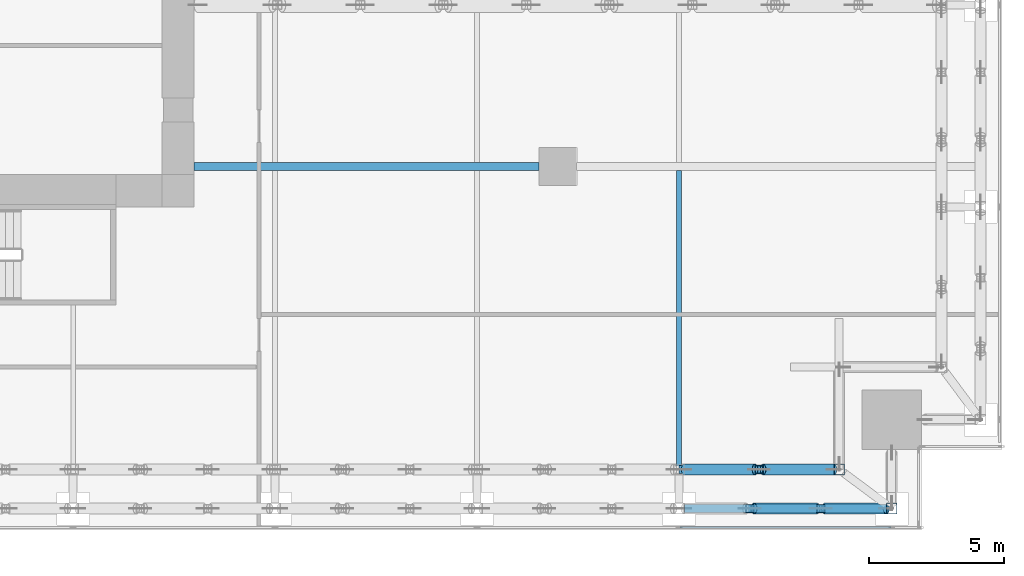
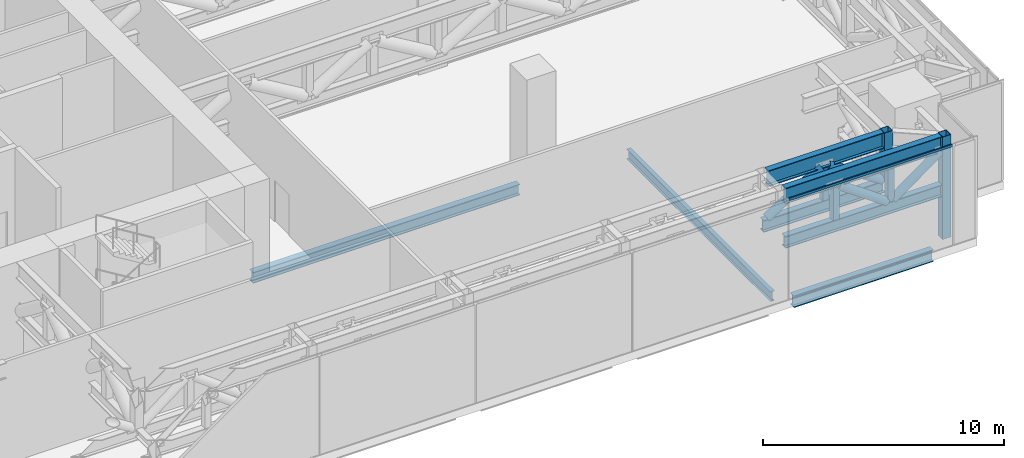
# One storey, part 9 of 39: 14 members, 3 beams, 1 element without a shape of its own.
"""IFC4 building model written with IfcOpenShell, lengths in metres."""

from ifc_helpers import new_model, si_unit, direction, frame, origin, origin_2d, place, context, subcontext, project, spatial, hollow_rectangle, hollow_circle, i_section, extrude, source, transform, mapped, material, material_profile, profile_set, type_object, element, aggregate, save


model = new_model("IFC4")

# Units and contexts
model_context = context("Model", 3, precision=1e-05, world=origin(), true_north=direction((0.0, 1.0)))
body_context = subcontext(model_context, "Body", "Model", "MODEL_VIEW")
ifc_project = project(units=[si_unit("LENGTHUNIT", "METRE"), si_unit("AREAUNIT", "SQUARE_METRE"), si_unit("VOLUMEUNIT", "CUBIC_METRE"), si_unit("PLANEANGLEUNIT", "RADIAN"), si_unit("MASSUNIT", "GRAM", prefix="KILO")], contexts=[model_context])

# Site, building, storey
site_placement = place(None, origin())
site = spatial("IfcSite", under=ifc_project, at=site_placement, CompositionType="ELEMENT")
building_placement = place(site_placement, origin())
building = spatial("IfcBuilding", under=site, at=building_placement, Name="Khomas Fold Tower", CompositionType="ELEMENT")
storey_placement = place(building_placement, frame((0.0, 0.0, 96.0)))
storey = spatial("IfcBuildingStorey", under=building, at=storey_placement, Name="L20", CompositionType="ELEMENT", Elevation=96.0)

# Beams
ifc_material_1 = material(Name="Steel S355", Category="steel")
ifc_material_profile_1 = material_profile(ifc_material_1, i_section(OverallWidth=0.300048828125, OverallDepth=0.550048828125, WebThickness=0.014892578125, FlangeThickness=0.029052734375, at=origin_2d()), Name="HE 550 B")
ifc_profile_set_1 = profile_set([ifc_material_profile_1], Name="Steel S355")
beam_type_1 = type_object("IfcBeamType", Name="HE 550 B beam GB4", PredefinedType="BEAM", material=ifc_profile_set_1)
shared_shape_1 = source(origin(), body_context, "Body", "SweptSolid", [
    extrude(i_section(OverallWidth=0.300048828125, OverallDepth=0.550048828125, WebThickness=0.014892578125, FlangeThickness=0.029052734375, at=origin_2d()), origin(), (0.0, 0.0, 1.0), 12.800048828125),
])
beam_1_placement = place(storey_placement, frame((24.0, 13.5, -0.675048828125), z_axis=(1.0, 0.0, 0.0), x_axis=(0.0, 1.0, 0.0)))
element("IfcBeam", 1, at=beam_1_placement, inside=storey, type_object=beam_type_1, Name="GB4", PredefinedType="BEAM", context=body_context, shape_type="MappedRepresentation", body=[
    mapped(shared_shape_1, transform((0.0, 0.0, 0.0))),
])
ifc_material_2 = material(Name="Steel S355", Category="steel")
ifc_material_profile_2 = material_profile(ifc_material_2, i_section(OverallWidth=0.300048828125, OverallDepth=0.60009765625, WebThickness=0.015380859375, FlangeThickness=0.030029296875, at=origin_2d()), Name="HE 600 B")
ifc_profile_set_2 = profile_set([ifc_material_profile_2], Name="Steel S355")
beam_type_2 = type_object("IfcBeamType", Name="HE 600 B spandrel SB1", PredefinedType="SPANDREL", material=ifc_profile_set_2)
shared_shape_2 = source(origin(), body_context, "Body", "SweptSolid", [
    extrude(i_section(OverallWidth=0.300048828125, OverallDepth=0.60009765625, WebThickness=0.015380859375, FlangeThickness=0.030029296875, at=origin_2d()), origin(), (0.0, 0.0, 1.0), 6.699951171875),
])
beam_2_placement = place(storey_placement, frame((42.60009765625, 0.800048828125, -0.699951171875), z_axis=(1.0, 0.0, 0.0), x_axis=(0.0, 1.0, 0.0)))
element("IfcBeam", 2, at=beam_2_placement, inside=storey, type_object=beam_type_2, Name="SB1", PredefinedType="SPANDREL", context=body_context, shape_type="MappedRepresentation", body=[
    mapped(shared_shape_2, transform((0.0, 0.0, 0.0))),
])
ifc_material_3 = material(Name="Steel S355", Category="steel")
ifc_material_profile_3 = material_profile(ifc_material_3, i_section(OverallWidth=0.199951171875, OverallDepth=0.5, WebThickness=0.01025390625, FlangeThickness=0.01611328125, at=origin_2d()), Name="IPE 500")
ifc_profile_set_3 = profile_set([ifc_material_profile_3], Name="Steel S355")
beam_type_3 = type_object("IfcBeamType", Name="IPE 500 beam JB5", PredefinedType="BEAM", material=ifc_profile_set_3)
shared_shape_3 = source(origin(), body_context, "Body", "SweptSolid", [
    extrude(i_section(OverallWidth=0.199951171875, OverallDepth=0.5, WebThickness=0.01025390625, FlangeThickness=0.01611328125, at=origin_2d()), origin(), (0.0, 0.0, 1.0), 11.9501953125),
])
beam_3_placement = place(storey_placement, frame((42.0, 1.39990234375, -0.64990234375), z_axis=(0.0, 1.0, 0.0), x_axis=(-1.0, 0.0, 0.0)))
element("IfcBeam", 3, at=beam_3_placement, inside=storey, type_object=beam_type_3, Name="JB5", PredefinedType="BEAM", context=body_context, shape_type="MappedRepresentation", body=[
    mapped(shared_shape_3, transform((0.0, 0.0, 0.0))),
])

# Members
ifc_material_4 = material(Name="Steel S460M", Category="steel")
ifc_material_profile_4 = material_profile(ifc_material_4, i_section(OverallWidth=0.300048828125, OverallDepth=0.800048828125, WebThickness=0.017578125, FlangeThickness=0.032958984375, at=origin_2d()), Name="HE 800 B")
ifc_profile_set_4 = profile_set([ifc_material_profile_4], Name="Steel S460M")
member_type_1 = type_object("IfcMemberType", Name="BELT TRUSS 1 TOP CHORD HE 800 B", PredefinedType="CHORD", material=ifc_profile_set_4)
shared_shape_4 = source(origin(), body_context, "Body", "SweptSolid", [
    extrude(i_section(OverallWidth=0.300048828125, OverallDepth=0.800048828125, WebThickness=0.017578125, FlangeThickness=0.032958984375, at=origin_2d()), origin(), (0.0, 0.0, 1.0), 7.5),
])
member_1_placement = place(storey_placement, frame((42.199951171875, 0.800048828125, 4.800048828125), z_axis=(1.0, 0.0, 0.0), x_axis=(0.0, 1.0, 0.0)))
element("IfcMember", 4, at=member_1_placement, inside=storey, type_object=member_type_1, Name="BT1-CT", PredefinedType="CHORD", context=body_context, shape_type="MappedRepresentation", body=[
    mapped(shared_shape_4, transform((0.0, 0.0, 0.0))),
])
ifc_material_5 = material(Name="Steel S355", Category="steel")
ifc_material_profile_5 = material_profile(ifc_material_5, i_section(OverallWidth=0.300048828125, OverallDepth=0.60009765625, WebThickness=0.015380859375, FlangeThickness=0.030029296875, at=origin_2d()), Name="HE 600 B")
ifc_profile_set_5 = profile_set([ifc_material_profile_5], Name="Steel S355")
member_type_2 = type_object("IfcMemberType", Name="BELT TRUSS 1 BOTTOM CHORD HE 600 B", PredefinedType="CHORD", material=ifc_profile_set_5)
shared_shape_5 = source(origin(), body_context, "Body", "SweptSolid", [
    extrude(i_section(OverallWidth=0.300048828125, OverallDepth=0.60009765625, WebThickness=0.015380859375, FlangeThickness=0.030029296875, at=origin_2d()), origin(), (0.0, 0.0, 1.0), 7.5),
])
member_2_placement = place(storey_placement, frame((42.199951171875, 0.800048828125, 2.449951171875), z_axis=(1.0, 0.0, 0.0), x_axis=(0.0, 1.0, 0.0)))
element("IfcMember", 5, at=member_2_placement, inside=storey, type_object=member_type_2, Name="BT1-CB", PredefinedType="CHORD", context=body_context, shape_type="MappedRepresentation", body=[
    mapped(shared_shape_5, transform((0.0, 0.0, 0.0))),
])
ifc_material_6 = material(Name="Steel S355", Category="steel")
ifc_material_profile_6 = material_profile(ifc_material_6, hollow_circle(Radius=0.203125, WallThickness=0.01611328125, at=origin_2d()), Name="CHS 406.4x16")
ifc_profile_set_6 = profile_set([ifc_material_profile_6], Name="Steel S355")
member_type_3 = type_object("IfcMemberType", Name="BELT TRUSS 1 DIAGONAL CHS 406.4x16", PredefinedType="BRACE", material=ifc_profile_set_6)
shared_shape_6 = source(origin(), body_context, "Body", "SweptSolid", [
    extrude(hollow_circle(Radius=0.203125, WallThickness=0.01611328125, at=origin_2d()), origin(), (0.0, 0.0, 1.0), 2.82275390625),
])
member_3_placement = place(storey_placement, frame((47.416748046875, 0.800048828125, 2.7451171875), z_axis=(0.808837053127, 0.0, 0.588032840485), x_axis=(0.0, 1.0, 0.0)))
element("IfcMember", 6, at=member_3_placement, inside=storey, type_object=member_type_3, Name="BT1-D", PredefinedType="BRACE", context=body_context, shape_type="MappedRepresentation", body=[
    mapped(shared_shape_6, transform((0.0, 0.0, 0.0))),
])
shared_shape_7 = source(origin(), body_context, "Body", "SweptSolid", [
    extrude(hollow_circle(Radius=0.203125, WallThickness=0.01611328125, at=origin_2d()), origin(), (0.0, 0.0, 1.0), 2.863525390625),
])
member_4_placement = place(storey_placement, frame((44.783447265625, 0.800048828125, 4.405029296875), z_axis=(0.814838084694, 0.0, -0.579688619633), x_axis=(0.0, 1.0, 0.0)))
element("IfcMember", 7, at=member_4_placement, inside=storey, type_object=member_type_3, Name="BT1-D", PredefinedType="BRACE", context=body_context, shape_type="MappedRepresentation", body=[
    mapped(shared_shape_7, transform((0.0, 0.0, 0.0))),
])
ifc_material_7 = material(Name="Steel S355", Category="steel")
ifc_material_profile_7 = material_profile(ifc_material_7, hollow_rectangle(XDim=0.300048828125, YDim=0.300048828125, WallThickness=0.01611328125, at=origin_2d()), Name="SHS 300x300x16")
ifc_profile_set_7 = profile_set([ifc_material_profile_7], Name="Steel S355")
member_type_4 = type_object("IfcMemberType", Name="BELT TRUSS 1 MID POST SHS 300x300x16", PredefinedType="POST", material=ifc_profile_set_7)
shared_shape_8 = source(origin(), body_context, "Body", "SweptSolid", [
    extrude(hollow_rectangle(XDim=0.300048828125, YDim=0.300048828125, WallThickness=0.01611328125, at=origin_2d()), origin(), (0.0, 0.0, 1.0), 1.64990234375),
])
for number, where, z_axis, x_axis, name in (
    (8, (44.63330078125, 0.800048828125, 2.75), (0.0, 0.0, 1.0), (1.0, 0.0, 0.0), "BT1-M"),
    (9, (47.2666015625, 0.800048828125, 2.75), (0.0, 0.0, 1.0), (1.0, 0.0, 0.0), "BT1-M"),
    (10, (44.97509765625, 2.25, 2.75), (0.0, 0.0, 1.0), (1.0, 0.0, 0.0), "BT1-M"),
):
    element("IfcMember", number, at=place(storey_placement, frame(where, z_axis=z_axis, x_axis=x_axis)), inside=storey, type_object=member_type_4, Name=name, PredefinedType="POST", context=body_context, shape_type="MappedRepresentation", body=[
        mapped(shared_shape_8, transform((0.0, 0.0, 0.0))),
    ])
shared_shape_9 = source(origin(), body_context, "Body", "SweptSolid", [
    extrude(i_section(OverallWidth=0.300048828125, OverallDepth=0.800048828125, WebThickness=0.017578125, FlangeThickness=0.032958984375, at=origin_2d()), origin(), (0.0, 0.0, 1.0), 5.550048828125),
])
member_5_placement = place(storey_placement, frame((42.199951171875, 2.25, 4.800048828125), z_axis=(1.0, 0.0, 0.0), x_axis=(0.0, 1.0, 0.0)))
element("IfcMember", 11, at=member_5_placement, inside=storey, type_object=member_type_1, Name="BT1-CT", PredefinedType="CHORD", context=body_context, shape_type="MappedRepresentation", body=[
    mapped(shared_shape_9, transform((0.0, 0.0, 0.0))),
])
shared_shape_10 = source(origin(), body_context, "Body", "SweptSolid", [
    extrude(i_section(OverallWidth=0.300048828125, OverallDepth=0.60009765625, WebThickness=0.015380859375, FlangeThickness=0.030029296875, at=origin_2d()), origin(), (0.0, 0.0, 1.0), 5.800048828125),
])
member_6_placement = place(storey_placement, frame((42.0, 2.25, 2.449951171875), z_axis=(1.0, 0.0, 0.0), x_axis=(0.0, 1.0, 0.0)))
element("IfcMember", 12, at=member_6_placement, inside=storey, type_object=member_type_2, Name="BT1-CB", PredefinedType="CHORD", context=body_context, shape_type="MappedRepresentation", body=[
    mapped(shared_shape_10, transform((0.0, 0.0, 0.0))),
])
shared_shape_11 = source(origin(), body_context, "Body", "SweptSolid", [
    extrude(hollow_circle(Radius=0.203125, WallThickness=0.01611328125, at=origin_2d()), origin(), (0.0, 0.0, 1.0), 3.105712890625),
])
for number, where, z_axis, x_axis, name in (
    (13, (42.199951171875, 2.25, 2.7451171875), (0.84519551241, 0.0, 0.534457244129), (0.0, 1.0, 0.0), "BT1-D"),
    (14, (45.125, 2.25, 4.405029296875), (0.84519551241, 0.0, -0.534457244129), (0.0, 1.0, 0.0), "BT1-D"),
):
    element("IfcMember", number, at=place(storey_placement, frame(where, z_axis=z_axis, x_axis=x_axis)), inside=storey, type_object=member_type_3, Name=name, PredefinedType="BRACE", context=body_context, shape_type="MappedRepresentation", body=[
        mapped(shared_shape_11, transform((0.0, 0.0, 0.0))),
    ])
ifc_material_8 = material(Name="Steel S460M", Category="steel")
ifc_material_profile_8 = material_profile(ifc_material_8, hollow_rectangle(XDim=0.39990234375, YDim=0.39990234375, WallThickness=0.02001953125, at=origin_2d()), Name="SHS 400x400x20")
ifc_profile_set_8 = profile_set([ifc_material_profile_8], Name="Steel S460M")
member_type_5 = type_object("IfcMemberType", Name="BELT TRUSS 1 COLUMN POST LONG SHS 400x400x20", PredefinedType="POST", material=ifc_profile_set_8)
shared_shape_12 = source(origin(), body_context, "Body", "SweptSolid", [
    extrude(hollow_rectangle(XDim=0.39990234375, YDim=0.39990234375, WallThickness=0.02001953125, at=origin_2d()), origin(), (0.0, 0.0, 1.0), 5.199951171875),
])
member_7_placement = place(storey_placement, frame((49.89990234375, 0.800048828125, 0.0), z_axis=(0.0, 0.0, 1.0), x_axis=(1.0, 0.0, 0.0)))
element("IfcMember", 15, at=member_7_placement, inside=storey, type_object=member_type_5, Name="BT1-PL", PredefinedType="POST", context=body_context, shape_type="MappedRepresentation", body=[
    mapped(shared_shape_12, transform((0.0, 0.0, 0.0))),
])
ifc_material_9 = material(Name="Steel S460M", Category="steel")
ifc_material_profile_9 = material_profile(ifc_material_9, hollow_rectangle(XDim=0.39990234375, YDim=0.39990234375, WallThickness=0.02001953125, at=origin_2d()), Name="SHS 400x400x20")
ifc_profile_set_9 = profile_set([ifc_material_profile_9], Name="Steel S460M")
member_type_6 = type_object("IfcMemberType", Name="BELT TRUSS 1 COLUMN POST SHS 400x400x20", PredefinedType="POST", material=ifc_profile_set_9)
shared_shape_13 = source(origin(), body_context, "Body", "SweptSolid", [
    extrude(hollow_rectangle(XDim=0.39990234375, YDim=0.39990234375, WallThickness=0.02001953125, at=origin_2d()), origin(), (0.0, 0.0, 1.0), 2.449951171875),
])
member_8_placement = place(storey_placement, frame((47.949951171875, 2.25, 2.75), z_axis=(0.0, 0.0, 1.0), x_axis=(1.0, 0.0, 0.0)))
element("IfcMember", 16, at=member_8_placement, inside=storey, type_object=member_type_6, Name="BT1-P", PredefinedType="POST", context=body_context, shape_type="MappedRepresentation", body=[
    mapped(shared_shape_13, transform((0.0, 0.0, 0.0))),
])

# Curtain wall, member
ifc_material_10 = material(Name="Aluminium framed double glazing", Category="aluminium")
curtain_wall_type = type_object("IfcCurtainWallType", Name="SK-Plant louvre wall CW4", PredefinedType="NOTDEFINED", material=ifc_material_10)
curtain_wall_placement = place(storey_placement, origin())
curtain_wall = element("IfcCurtainWall", 17, at=curtain_wall_placement, inside=storey, type_object=curtain_wall_type, Name="CW4 run L20 00-0", PredefinedType="NOTDEFINED")
ifc_material_11 = material(Name="Aluminium", Category="aluminium")
ifc_material_profile_10 = material_profile(ifc_material_11, hollow_rectangle(XDim=0.06005859375, YDim=0.1201171875, WallThickness=0.00390625, at=origin_2d()), Name="SK-Plant louvre wall transom CW4-T")
ifc_profile_set_10 = profile_set([ifc_material_profile_10], Name="Aluminium")
member_type_7 = type_object("IfcMemberType", Name="SK-Plant louvre wall transom CW4-T", PredefinedType="USERDEFINED", material=ifc_profile_set_10)
shared_shape_14 = source(origin(), body_context, "Body", "SweptSolid", [
    extrude(hollow_rectangle(XDim=0.06005859375, YDim=0.1201171875, WallThickness=0.00390625, at=origin_2d()), origin(), (0.0, 0.0, 1.0), 7.840087890625),
])
member_9_placement = place(storey_placement, frame((42.030029296875, 0.10009765625, 5.0400390625), z_axis=(1.0, 0.0, 0.0), x_axis=(0.0, 1.0, 0.0)))
member_9 = element("IfcMember", 18, at=member_9_placement, type_object=member_type_7, Name="CW4 transom 7", ObjectType="TRANSOM", PredefinedType="USERDEFINED", context=body_context, shape_type="MappedRepresentation", body=[
    mapped(shared_shape_14, transform((0.0, 0.0, 0.0))),
])
aggregate(curtain_wall, [member_9])

save(model, "model.ifc")
